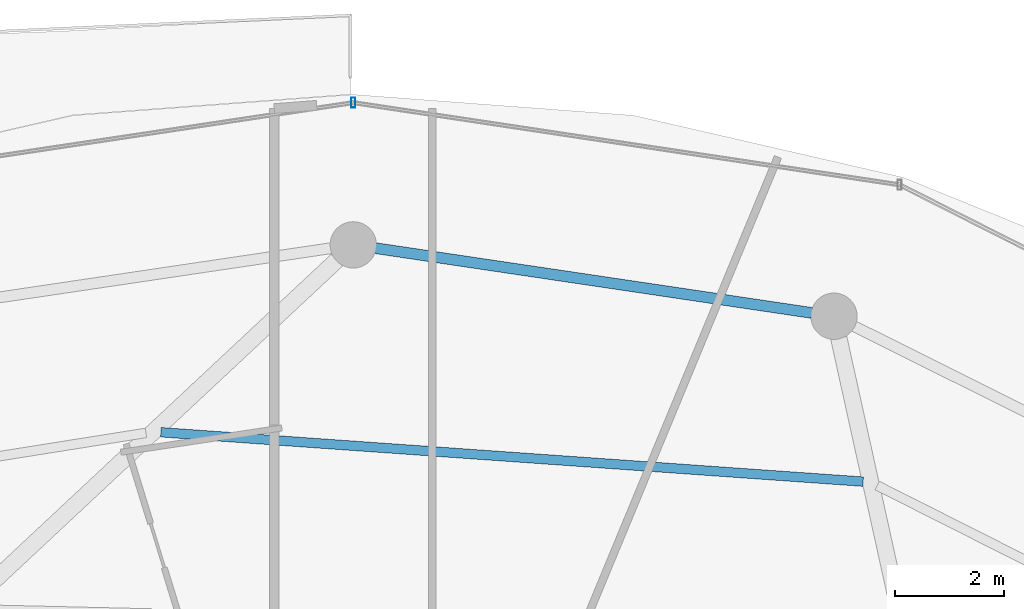
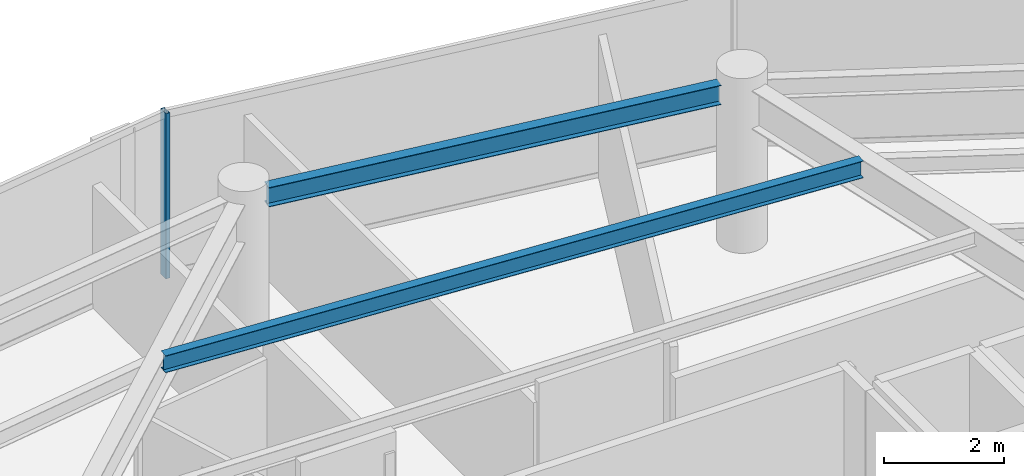
# One storey, part 18 of 30: 2 beams, 1 member, 1 element without a shape of its own.
"""IFC4 building model written with IfcOpenShell, lengths in metres."""

import ifcopenshell
import ifcopenshell.guid

model = None  # the IFC model being written
_history = None  # IfcOwnerHistory: only IFC2X3 demands one
_inside = {}  # id of a spatial element -> (the spatial element, [elements in it])
_under = {}  # id of a project, library or spatial element -> (it, [spatial elements below it])
_declared = {}  # id of a project -> (the project, [libraries it declares])
_typed = {}  # id of a type object -> (the type object, [elements of that type])
_made_of = {}  # id of a material, layer set ... -> (it, [elements and type objects made of it])


def new_model(schema):
    """Start an empty IFC model of exactly this schema.

    Asked for "IFC4X3", IfcOpenShell would pick the latest addendum, in which some entities
    have other attributes; the version numbers below select the first issue.
    IFC2X3 requires an IfcOwnerHistory on every rooted entity: one is made here for all.
    """
    global model, _history
    if schema == "IFC4X3":
        model = ifcopenshell.file(schema_version=(4, 3, 0, 0))
    else:
        model = ifcopenshell.file(schema=schema)
    _inside.clear()
    _under.clear()
    _declared.clear()
    _typed.clear()
    _made_of.clear()
    _history = None
    if model.schema == "IFC2X3":
        org = make("IfcOrganization", Name="unknown")
        user = make(
            "IfcPersonAndOrganization",
            ThePerson=make("IfcPerson", FamilyName="unknown"),
            TheOrganization=org,
        )
        app = make(
            "IfcApplication",
            ApplicationDeveloper=org,
            Version="unknown",
            ApplicationFullName="unknown",
            ApplicationIdentifier="unknown",
        )
        _history = make(
            "IfcOwnerHistory",
            OwningUser=user,
            OwningApplication=app,
            ChangeAction="ADDED",
            CreationDate=0,
        )
    return model


def make(cls, **values):
    """One entity of the class cls with the attributes given. An attribute that is None is left unset."""
    return model.create_entity(
        cls, **{name: value for name, value in values.items() if value is not None}
    )


def rooted(cls, **values):
    """An entity with a GlobalId (a new one), such as an element, a storey or a relation."""
    return make(cls, GlobalId=ifcopenshell.guid.new(), OwnerHistory=_history, **values)


def si_unit(unit_type, name, prefix=None):
    """IfcSIUnit, for example si_unit("LENGTHUNIT", "METRE", prefix="MILLI")."""
    return make("IfcSIUnit", UnitType=unit_type, Prefix=prefix, Name=name)


def assignment(units):
    """IfcUnitAssignment: the units of a project."""
    return None if units is None else make("IfcUnitAssignment", Units=units)


def point(xyz):
    """IfcCartesianPoint."""
    return None if xyz is None else make("IfcCartesianPoint", Coordinates=xyz)


def direction(xyz):
    """IfcDirection."""
    return None if xyz is None else make("IfcDirection", DirectionRatios=xyz)


def frame(location, z_axis=None, x_axis=None):
    """IfcAxis2Placement3D, a coordinate frame: its origin and axes. An axis left out is left unset."""
    return make(
        "IfcAxis2Placement3D",
        Location=point(location),
        Axis=direction(z_axis),
        RefDirection=direction(x_axis),
    )


def frame_2d(location, x_axis=None):
    """IfcAxis2Placement2D, a coordinate frame in the plane: its origin and x axis."""
    return make(
        "IfcAxis2Placement2D", Location=point(location), RefDirection=direction(x_axis)
    )


def origin():
    """The frame at (0, 0, 0) with its axes left unset."""
    return frame((0.0, 0.0, 0.0))


def origin_2d():
    """The frame at (0, 0) in the plane with its x axis left unset."""
    return frame_2d((0.0, 0.0))


def place(relative_to, where):
    """IfcLocalPlacement: puts the frame where relative to a parent placement (None: the world)."""
    return make(
        "IfcLocalPlacement", PlacementRelTo=relative_to, RelativePlacement=where
    )


def context(
    kind, dimensions, precision=None, world=None, true_north=None, identifier=None
):
    """IfcGeometricRepresentationContext, for example the 3D "Model" context."""
    return make(
        "IfcGeometricRepresentationContext",
        ContextIdentifier=identifier,
        ContextType=kind,
        CoordinateSpaceDimension=dimensions,
        Precision=precision,
        WorldCoordinateSystem=world,
        TrueNorth=true_north,
    )


def subcontext(parent, identifier, kind, view, scale=None):
    """IfcGeometricRepresentationSubContext, for example "Body" below "Model"."""
    return make(
        "IfcGeometricRepresentationSubContext",
        ContextIdentifier=identifier,
        ContextType=kind,
        ParentContext=parent,
        TargetScale=scale,
        TargetView=view,
    )


def project(units=None, contexts=None):
    """IfcProject with its units and contexts."""
    return rooted(
        "IfcProject",
        Name="project",
        RepresentationContexts=contexts,
        UnitsInContext=assignment(units),
    )


def spatial(cls, under=None, at=None, **own):
    """A site, building, storey or space (cls), placed at a placement, below another one or the project."""
    s = rooted(cls, ObjectPlacement=at, **own)
    if under is not None:
        _under.setdefault(under.id(), (under, []))[1].append(s)
    return s


def profile(cls, at=None, kind="AREA", **sizes):
    """A parametric profile (cls). Its sizes go by their IFC names, for example OverallWidth=200.0."""
    return make(cls, ProfileType=kind, Position=at, **sizes)


def hollow_rectangle(**sizes):
    """IfcRectangleHollowProfileDef."""
    return profile("IfcRectangleHollowProfileDef", **sizes)


def i_section(**sizes):
    """IfcIShapeProfileDef."""
    return profile("IfcIShapeProfileDef", **sizes)


def extrude(swept, where, along, depth):
    """IfcExtrudedAreaSolid: the profile swept, set in the frame where, extruded along a direction by depth."""
    return make(
        "IfcExtrudedAreaSolid",
        SweptArea=swept,
        Position=where,
        ExtrudedDirection=direction(along),
        Depth=depth,
    )


def shape(context_of_items, identifier, shape_type, items):
    """IfcShapeRepresentation: the items that make up one representation, for example the "Body"."""
    return make(
        "IfcShapeRepresentation",
        ContextOfItems=context_of_items,
        RepresentationIdentifier=identifier,
        RepresentationType=shape_type,
        Items=items,
    )


def material(Name=None, Category=None):
    """IfcMaterial."""
    return make("IfcMaterial", Name=Name, Category=Category)


def material_profile(
    of_material, cross_section, Name=None, Category=None, Priority=None
):
    """IfcMaterialProfile: a cross section and its material."""
    return make(
        "IfcMaterialProfile",
        Name=Name,
        Material=of_material,
        Profile=cross_section,
        Priority=Priority,
        Category=Category,
    )


def profile_set(profiles, Name=None, composite=None):
    """IfcMaterialProfileSet."""
    return make(
        "IfcMaterialProfileSet",
        Name=Name,
        MaterialProfiles=profiles,
        CompositeProfile=composite,
    )


def made_of(thing, what):
    """Note that an element or type object is made of a material, layer set ...; save() writes the relation."""
    if what is not None:
        _made_of.setdefault(what.id(), (what, []))[1].append(thing)
    return thing


def type_object(cls, material=None, **own):
    """A type object (cls), such as IfcWallType, which elements share."""
    return made_of(rooted(cls, **own), material)


def element(
    cls,
    number,
    at=None,
    inside=None,
    cuts=None,
    type_object=None,
    material=None,
    context=None,
    identifier="Body",
    shape_type=None,
    held_by="IfcProductDefinitionShape",
    body=None,
    shapes=None,
    **own,
):
    """One element of the class cls, such as IfcWall. Its Tag is "e" and its number.

    at: its placement. inside: the storey or other place that contains it. cuts: it is an
    opening in that element (IfcRelVoidsElement). A single representation is given by context,
    identifier, shape_type and body (its items); several are given by shapes. held_by: the class
    of the entity that holds the representations. save() writes the other relations.
    """
    e = rooted(cls, Tag="e%d" % number, ObjectPlacement=at, **own)
    if body is not None:
        shapes = [shape(context, identifier, shape_type, body)]
    if shapes is not None:
        e.Representation = make(held_by, Representations=shapes)
    if inside is not None:
        _inside.setdefault(inside.id(), (inside, []))[1].append(e)
    if cuts is not None:
        rooted(
            "IfcRelVoidsElement", RelatingBuildingElement=cuts, RelatedOpeningElement=e
        )
    if type_object is not None:
        _typed.setdefault(type_object.id(), (type_object, []))[1].append(e)
    return made_of(e, material)


def aggregate(whole, parts):
    """IfcRelAggregates: a whole, such as a stair, and the parts it consists of."""
    return rooted("IfcRelAggregates", RelatingObject=whole, RelatedObjects=parts)


def save(model, path):
    """Write the relations noted so far, then the file.

    IfcRelAggregates (storeys below a building ...), IfcRelContainedInSpatialStructure (elements
    in a storey), IfcRelDefinesByType, IfcRelAssociatesMaterial and IfcRelDeclares: one each for
    every whole, place, type object, material and project.
    """
    for whole, parts in _under.values():
        aggregate(whole, parts)
    for where, things in _inside.values():
        rooted(
            "IfcRelContainedInSpatialStructure",
            RelatedElements=things,
            RelatingStructure=where,
        )
    for kind, things in _typed.values():
        rooted("IfcRelDefinesByType", RelatedObjects=things, RelatingType=kind)
    for what, things in _made_of.values():
        rooted("IfcRelAssociatesMaterial", RelatedObjects=things, RelatingMaterial=what)
    for by, libraries in _declared.values():
        rooted("IfcRelDeclares", RelatingContext=by, RelatedDefinitions=libraries)
    model.write(path)


model = new_model("IFC4")

# Units and contexts
model_context = context("Model", 3, precision=1e-05, world=origin(), true_north=direction((0.0, 1.0)))
body_context = subcontext(model_context, "Body", "Model", "MODEL_VIEW")
ifc_project = project(units=[si_unit("LENGTHUNIT", "METRE"), si_unit("AREAUNIT", "SQUARE_METRE"), si_unit("VOLUMEUNIT", "CUBIC_METRE"), si_unit("PLANEANGLEUNIT", "RADIAN"), si_unit("MASSUNIT", "GRAM", prefix="KILO")], contexts=[model_context])

# Site, building, storey
site_placement = place(None, origin())
site = spatial("IfcSite", under=ifc_project, at=site_placement, CompositionType="ELEMENT")
building_placement = place(site_placement, origin())
building = spatial("IfcBuilding", under=site, at=building_placement, Name="Vorneva Point Tower", CompositionType="ELEMENT")
storey_placement = place(building_placement, frame((0.0, 0.0, 241.35009765625)))
storey = spatial("IfcBuildingStorey", under=building, at=storey_placement, Name="L65", CompositionType="ELEMENT", Elevation=241.35009765625)

# Beams
ifc_material_1 = material(Name="Steel S355", Category="steel")
ifc_material_profile_1 = material_profile(ifc_material_1, i_section(OverallWidth=0.174072265625, OverallDepth=0.345947265625, WebThickness=0.006103515625, FlangeThickness=0.009033203125, at=origin_2d()), Name="35B1")
ifc_profile_set_1 = profile_set([ifc_material_profile_1], Name="Steel S355")
beam_type_1 = type_object("IfcBeamType", Name="BM-SEC-35B1", PredefinedType="BEAM", material=ifc_profile_set_1)
beam_1_placement = place(storey_placement, frame((47.355224609375, 38.855224609375, 3.116943359375), z_axis=(-0.997535819592, 0.07015902388, 0.0), x_axis=(-0.07015902388, -0.997535819592, 0.0)))
element("IfcBeam", 1, at=beam_1_placement, inside=storey, type_object=beam_type_1, Name="L65 Secondary Floor Beam 1.04", PredefinedType="BEAM", context=body_context, shape_type="SweptSolid", body=[
    extrude(i_section(OverallWidth=0.174072265625, OverallDepth=0.345947265625, WebThickness=0.006103515625, FlangeThickness=0.009033203125, at=origin_2d()), origin(), (0.0, 0.0, 1.0), 12.9169921875),
])
ifc_material_profile_2 = material_profile(ifc_material_1, i_section(OverallWidth=0.198974609375, OverallDepth=0.39599609375, WebThickness=0.007080078125, FlangeThickness=0.010986328125, at=origin_2d()), Name="40B1")
ifc_profile_set_2 = profile_set([ifc_material_profile_2], Name="Steel S355")
beam_type_2 = type_object("IfcBeamType", Name="BM-SPN-40B1", PredefinedType="SPANDREL", material=ifc_profile_set_2)
beam_2_placement = place(storey_placement, frame((46.415283203125, 41.950927734375, 3.091796875), z_axis=(-0.989161657331, 0.146830567886, 0.0), x_axis=(-0.146830567886, -0.989161657331, 0.0)))
element("IfcBeam", 2, at=beam_2_placement, inside=storey, type_object=beam_type_2, Name="L65 Perimeter Spandrel Ring Beam 04", PredefinedType="SPANDREL", context=body_context, shape_type="SweptSolid", body=[
    extrude(i_section(OverallWidth=0.198974609375, OverallDepth=0.39599609375, WebThickness=0.007080078125, FlangeThickness=0.010986328125, at=origin_2d()), origin(), (0.0, 0.0, 1.0), 8.097412109375),
])

# Curtain wall, member
ifc_material_2 = material(Name="Pale anodised aluminium", Category="aluminium")
curtain_wall_type = type_object("IfcCurtainWallType", Name="CW-RES-SYS", PredefinedType="NOTDEFINED", material=ifc_material_2)
curtain_wall_placement = place(storey_placement, origin())
curtain_wall = element("IfcCurtainWall", 3, at=curtain_wall_placement, inside=storey, type_object=curtain_wall_type, Name="L65 Unitised Curtain Wall CW-L65-R02", PredefinedType="NOTDEFINED")
ifc_material_profile_3 = material_profile(ifc_material_2, hollow_rectangle(XDim=0.074951171875, YDim=0.179931640625, WallThickness=0.00390625, at=origin_2d()), Name="AL-MUL 180x75x4")
ifc_profile_set_3 = profile_set([ifc_material_profile_3], Name="Pale anodised aluminium")
member_type = type_object("IfcMemberType", Name="CW-MUL-180", PredefinedType="MULLION", material=ifc_profile_set_3)
member_placement = place(storey_placement, frame((38.0, 45.81005859375, -0.0400390625), z_axis=(0.0, 0.0, 1.0), x_axis=(1.0, 0.0, 0.0)))
member = element("IfcMember", 4, at=member_placement, type_object=member_type, Name="CW-L65-R02 Mullion 03", PredefinedType="MULLION", context=body_context, shape_type="SweptSolid", body=[
    extrude(hollow_rectangle(XDim=0.074951171875, YDim=0.179931640625, WallThickness=0.00390625, at=origin_2d()), origin(), (0.0, 0.0, 1.0), 3.35986328125),
])
aggregate(curtain_wall, [member])

save(model, "model.ifc")
